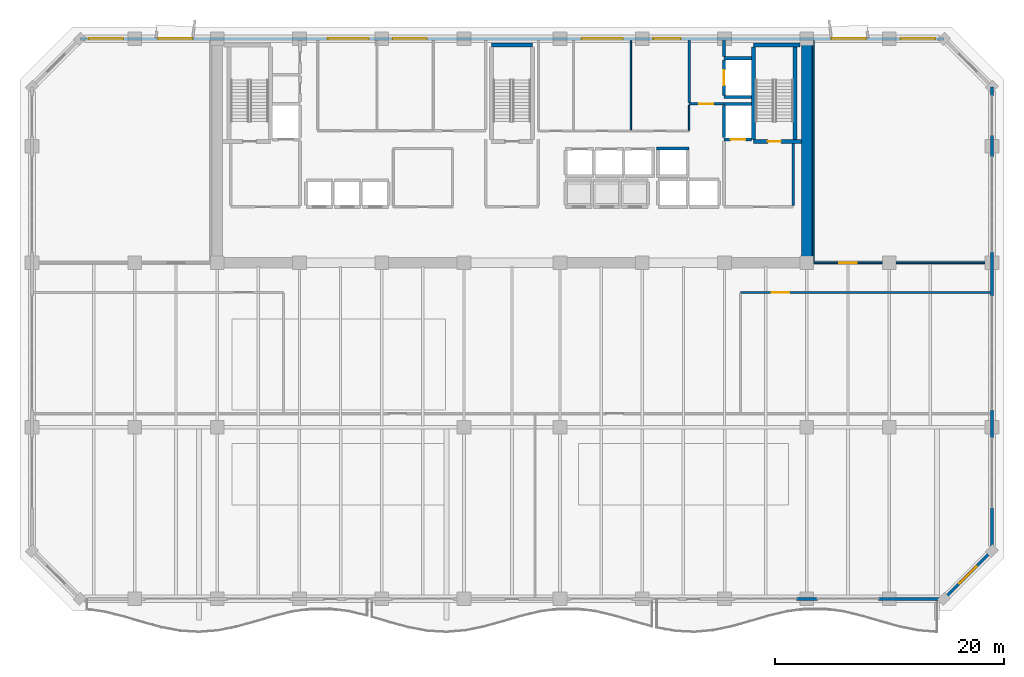
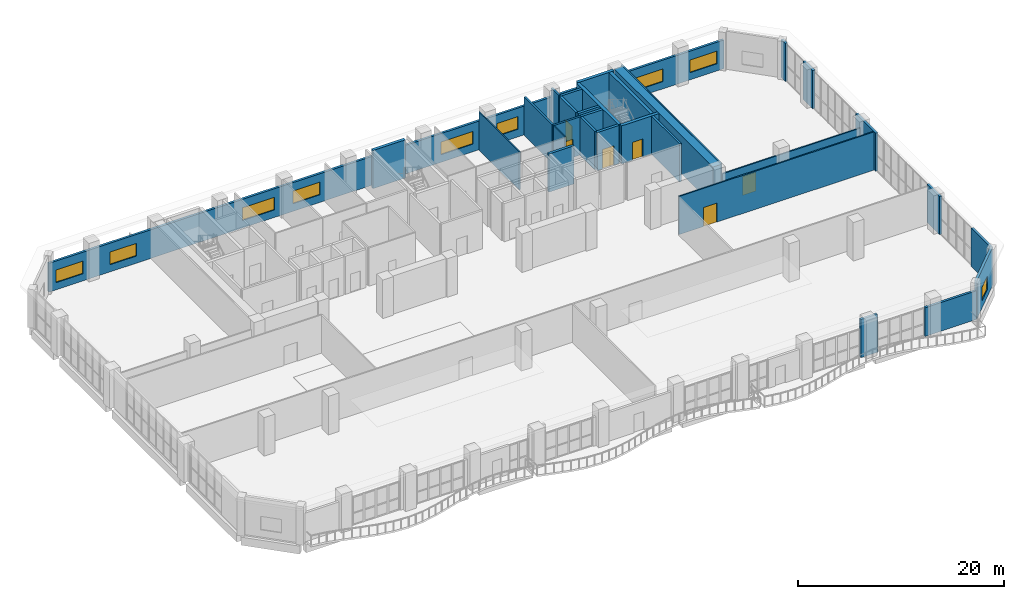
# One storey, part 31 of 37: 31 walls, 9 windows, 6 doors, 15 openings.
"""IFC4 building model written with IfcOpenShell, lengths in metres."""

from ifc_helpers import new_model, si_unit, direction, frame, frame_2d, origin, place, context, subcontext, project, spatial, rectangle, extrude, material, layer, layer_set, type_object, element, fill, save


model = new_model("IFC4")

# Units and contexts
model_context = context("Model", 3, precision=1e-05, world=origin(), true_north=direction((0.0, 1.0)))
body_context = subcontext(model_context, "Body", "Model", "MODEL_VIEW")
ifc_project = project(units=[si_unit("LENGTHUNIT", "METRE"), si_unit("AREAUNIT", "SQUARE_METRE"), si_unit("VOLUMEUNIT", "CUBIC_METRE"), si_unit("PLANEANGLEUNIT", "RADIAN"), si_unit("MASSUNIT", "GRAM", prefix="KILO")], contexts=[model_context])

# Site, building, storey
site_placement = place(None, origin())
site = spatial("IfcSite", under=ifc_project, at=site_placement, CompositionType="ELEMENT")
building_placement = place(site_placement, origin())
building = spatial("IfcBuilding", under=site, at=building_placement, Name="Kaelvorn Grand Hotel", CompositionType="ELEMENT")
storey_placement = place(building_placement, frame((0.0, 0.0, 130.550048828125)))
storey = spatial("IfcBuildingStorey", under=building, at=storey_placement, Name="L31", CompositionType="ELEMENT", Elevation=130.550048828125)

# Walls
ifc_material_1 = material(Name="Concrete C60/75", Category="concrete")
ifc_layer_1 = layer(ifc_material_1, 0.89990234375)
ifc_layer_set_1 = layer_set([ifc_layer_1], Name="Concrete C60/75")
wall_type_1 = type_object("IfcWallType", Name="WL-CORE-900-C60", PredefinedType="SHEAR", material=ifc_layer_set_1)
wall_1_placement = place(storey_placement, frame((67.800048828125, 29.39990234375, 0.0), z_axis=(0.0, 0.0, 1.0), x_axis=(0.0, 1.0, 0.0)))
element("IfcWall", 1, at=wall_1_placement, inside=storey, type_object=wall_type_1, Name="L31 Rear-Core East Shear Wall", PredefinedType="SHEAR", context=body_context, shape_type="SweptSolid", body=[
    extrude(rectangle(XDim=19.2001953125, YDim=0.89990234375, at=frame_2d((9.60009765625, 0.0))), origin(), (0.0, 0.0, 1.0), 4.52001953125),
])
ifc_material_2 = material(Name="Concrete C40/50", Category="concrete")
ifc_layer_2 = layer(ifc_material_2, 0.260009765625)
ifc_layer_set_2 = layer_set([ifc_layer_2], Name="Concrete C40/50")
wall_type_2 = type_object("IfcWallType", Name="WL-EXT-260-C40", PredefinedType="SOLIDWALL", material=ifc_layer_set_2)
wall_2_placement = place(storey_placement, frame((66.875, 0.0, 0.0), z_axis=(0.0, 0.0, 1.0), x_axis=(1.0, 0.0, 0.0)))
element("IfcWall", 2, at=wall_2_placement, inside=storey, type_object=wall_type_2, Name="L31 Exterior Architectural Concrete Wall 01 Pier 8", PredefinedType="SOLIDWALL", context=body_context, shape_type="SweptSolid", body=[
    extrude(rectangle(XDim=1.85009765625, YDim=0.260009765625, at=frame_2d((0.925048828125, 0.0))), origin(), (0.0, 0.0, 1.0), 4.52001953125),
])
wall_3_placement = place(storey_placement, frame((74.074951171875, 0.0, 0.0), z_axis=(0.0, 0.0, 1.0), x_axis=(1.0, 0.0, 0.0)))
element("IfcWall", 3, at=wall_3_placement, inside=storey, type_object=wall_type_2, Name="L31 Exterior Architectural Concrete Wall 01 Pier 9", PredefinedType="SOLIDWALL", context=body_context, shape_type="SweptSolid", body=[
    extrude(rectangle(XDim=5.72509765625, YDim=0.260009765625, at=frame_2d((2.862548828125, 0.0))), origin(), (0.0, 0.0, 1.0), 3.39990234375),
])

# Wall, opening, window
wall_4_placement = place(storey_placement, frame((79.800048828125, 0.0, 0.0), z_axis=(0.0, 0.0, 1.0), x_axis=(0.707106781187, 0.707106781187, 0.0)))
wall_4 = element("IfcWall", 4, at=wall_4_placement, inside=storey, type_object=wall_type_2, Name="L31 Exterior Architectural Concrete Wall 02", PredefinedType="SOLIDWALL", context=body_context, shape_type="SweptSolid", body=[
    extrude(rectangle(XDim=5.939697265625, YDim=0.260009765625, at=frame_2d((2.9697265625, 0.0))), origin(), (0.0, 0.0, 1.0), 4.52001953125),
])
opening_1_placement = place(wall_4_placement, frame((1.919921875, 0.0, 0.85009765625)))
opening_1 = element("IfcOpeningElement", 5, at=opening_1_placement, cuts=wall_4, Name="Opening W7", PredefinedType="OPENING", context=body_context, shape_type="SweptSolid", body=[
    extrude(rectangle(XDim=2.10009765625, YDim=1.60009765625, at=frame_2d((1.050048828125, 0.800048828125))), frame((0.0, 0.14013671875, 0.0), z_axis=(0.0, -1.0, 0.0), x_axis=(1.0, 0.0, 0.0)), (0.0, 0.0, 1.0), 0.280029296875),
])
ifc_material_3 = material(Name="Laminated Low-E Glass", Category="glass")
window_type_1 = type_object("IfcWindowType", Name="WIN-CHM-2100x1600", PartitioningType="SINGLE_PANEL", PredefinedType="WINDOW", material=ifc_material_3)
window_1_placement = place(opening_1_placement, origin())
window_1 = element("IfcWindow", 6, at=window_1_placement, inside=storey, type_object=window_type_1, Name="L31 Chamfered 45-Degree Corner Window SE", OverallHeight=1.60009765625, OverallWidth=2.10009765625, PartitioningType="SINGLE_PANEL", PredefinedType="WINDOW", context=body_context, shape_type="SweptSolid", body=[
    extrude(rectangle(XDim=2.10009765625, YDim=1.60009765625, at=frame_2d((1.050048828125, 0.800048828125))), frame((0.0, 0.030029296875, 0.0), z_axis=(0.0, -1.0, 0.0), x_axis=(1.0, 0.0, 0.0)), (0.0, 0.0, 1.0), 0.06005859375),
])
fill(opening_1, window_1)

# Walls
wall_5_placement = place(storey_placement, frame((84.0, 4.199951171875, 0.0), z_axis=(0.0, 0.0, 1.0), x_axis=(0.0, 1.0, 0.0)))
element("IfcWall", 7, at=wall_5_placement, inside=storey, type_object=wall_type_2, Name="L31 Exterior Architectural Concrete Wall 03 Pier 1", PredefinedType="SOLIDWALL", context=body_context, shape_type="SweptSolid", body=[
    extrude(rectangle(XDim=3.72509765625, YDim=0.260009765625, at=frame_2d((1.862548828125, 0.0))), origin(), (0.0, 0.0, 1.0), 4.52001953125),
])
wall_6_placement = place(storey_placement, frame((84.0, 14.074951171875, 0.0), z_axis=(0.0, 0.0, 1.0), x_axis=(0.0, 1.0, 0.0)))
element("IfcWall", 8, at=wall_6_placement, inside=storey, type_object=wall_type_2, Name="L31 Exterior Architectural Concrete Wall 03 Pier 2", PredefinedType="SOLIDWALL", context=body_context, shape_type="SweptSolid", body=[
    extrude(rectangle(XDim=2.449951171875, YDim=0.260009765625, at=frame_2d((1.22509765625, 0.0))), origin(), (0.0, 0.0, 1.0), 4.52001953125),
])
wall_7_placement = place(storey_placement, frame((84.0, 26.47509765625, 0.0), z_axis=(0.0, 0.0, 1.0), x_axis=(0.0, 1.0, 0.0)))
element("IfcWall", 9, at=wall_7_placement, inside=storey, type_object=wall_type_2, Name="L31 Exterior Architectural Concrete Wall 03 Pier 3", PredefinedType="SOLIDWALL", context=body_context, shape_type="SweptSolid", body=[
    extrude(rectangle(XDim=3.849853515625, YDim=0.260009765625, at=frame_2d((1.9248046875, 0.0))), origin(), (0.0, 0.0, 1.0), 4.52001953125),
])
wall_8_placement = place(storey_placement, frame((84.0, 38.675048828125, 0.0), z_axis=(0.0, 0.0, 1.0), x_axis=(0.0, 1.0, 0.0)))
element("IfcWall", 10, at=wall_8_placement, inside=storey, type_object=wall_type_2, Name="L31 Exterior Architectural Concrete Wall 03 Pier 4", PredefinedType="SOLIDWALL", context=body_context, shape_type="SweptSolid", body=[
    extrude(rectangle(XDim=1.849853515625, YDim=0.260009765625, at=frame_2d((0.9248046875, 0.0))), origin(), (0.0, 0.0, 1.0), 4.52001953125),
])
wall_9_placement = place(storey_placement, frame((84.0, 43.9951171875, 0.0), z_axis=(0.0, 0.0, 1.0), x_axis=(0.0, 1.0, 0.0)))
element("IfcWall", 11, at=wall_9_placement, inside=storey, type_object=wall_type_2, Name="L31 Exterior Architectural Concrete Wall 03 Pier 5", PredefinedType="SOLIDWALL", context=body_context, shape_type="SweptSolid", body=[
    extrude(rectangle(XDim=0.804931640625, YDim=0.260009765625, at=frame_2d((0.40234375, 0.0))), origin(), (0.0, 0.0, 1.0), 4.52001953125),
])

# Wall, openings, windows
wall_10_placement = place(storey_placement, frame((79.800048828125, 49.0, 0.0), z_axis=(0.0, 0.0, 1.0), x_axis=(-1.0, 0.0, 0.0)))
wall_10 = element("IfcWall", 12, at=wall_10_placement, inside=storey, type_object=wall_type_2, Name="L31 Exterior Architectural Concrete Wall 05", PredefinedType="SOLIDWALL", context=body_context, shape_type="SweptSolid", body=[
    extrude(rectangle(XDim=75.60009765625, YDim=0.260009765625, at=frame_2d((37.800048828125, 0.0))), origin(), (0.0, 0.0, 1.0), 3.39990234375),
])
opening_2_placement = place(wall_10_placement, frame((71.81494140625, 0.0, 0.85009765625)))
opening_2 = element("IfcOpeningElement", 13, at=opening_2_placement, cuts=wall_10, Name="Opening W5", PredefinedType="OPENING", context=body_context, shape_type="SweptSolid", body=[
    extrude(rectangle(XDim=3.0, YDim=1.5, at=frame_2d((1.5, 0.75))), frame((0.0, 0.14013671875, 0.0), z_axis=(0.0, -1.0, 0.0), x_axis=(1.0, 0.0, 0.0)), (0.0, 0.0, 1.0), 0.280029296875),
])
opening_3_placement = place(wall_10_placement, frame((65.77490234375, 0.0, 0.85009765625)))
opening_3 = element("IfcOpeningElement", 14, at=opening_3_placement, cuts=wall_10, Name="Opening W5", PredefinedType="OPENING", context=body_context, shape_type="SweptSolid", body=[
    extrude(rectangle(XDim=3.0, YDim=1.5, at=frame_2d((1.5, 0.75))), frame((0.0, 0.14013671875, 0.0), z_axis=(0.0, -1.0, 0.0), x_axis=(1.0, 0.0, 0.0)), (0.0, 0.0, 1.0), 0.280029296875),
])
opening_4_placement = place(wall_10_placement, frame((6.824951171875, 0.0, 0.85009765625)))
opening_4 = element("IfcOpeningElement", 15, at=opening_4_placement, cuts=wall_10, Name="Opening W5", PredefinedType="OPENING", context=body_context, shape_type="SweptSolid", body=[
    extrude(rectangle(XDim=3.0, YDim=1.5, at=frame_2d((1.5, 0.75))), frame((0.0, 0.14013671875, 0.0), z_axis=(0.0, -1.0, 0.0), x_axis=(1.0, 0.0, 0.0)), (0.0, 0.0, 1.0), 0.280029296875),
])
opening_5_placement = place(wall_10_placement, frame((0.784912109375, 0.0, 0.85009765625)))
opening_5 = element("IfcOpeningElement", 16, at=opening_5_placement, cuts=wall_10, Name="Opening W5", PredefinedType="OPENING", context=body_context, shape_type="SweptSolid", body=[
    extrude(rectangle(XDim=3.0, YDim=1.5, at=frame_2d((1.5, 0.75))), frame((0.0, 0.14013671875, 0.0), z_axis=(0.0, -1.0, 0.0), x_axis=(1.0, 0.0, 0.0)), (0.0, 0.0, 1.0), 0.280029296875),
])
opening_6_placement = place(wall_10_placement, frame((50.31494140625, 0.0, 0.89990234375)))
opening_6 = element("IfcOpeningElement", 17, at=opening_6_placement, cuts=wall_10, Name="Opening W3", PredefinedType="OPENING", context=body_context, shape_type="SweptSolid", body=[
    extrude(rectangle(XDim=3.60009765625, YDim=1.5, at=frame_2d((1.800048828125, 0.75))), frame((0.0, 0.14013671875, 0.0), z_axis=(0.0, -1.0, 0.0), x_axis=(1.0, 0.0, 0.0)), (0.0, 0.0, 1.0), 0.280029296875),
])
opening_7_placement = place(wall_10_placement, frame((45.25, 0.0, 0.89990234375)))
opening_7 = element("IfcOpeningElement", 18, at=opening_7_placement, cuts=wall_10, Name="Opening W5", PredefinedType="OPENING", context=body_context, shape_type="SweptSolid", body=[
    extrude(rectangle(XDim=3.0, YDim=1.5, at=frame_2d((1.5, 0.75))), frame((0.0, 0.14013671875, 0.0), z_axis=(0.0, -1.0, 0.0), x_axis=(1.0, 0.0, 0.0)), (0.0, 0.0, 1.0), 0.280029296875),
])
opening_8_placement = place(wall_10_placement, frame((28.10009765625, 0.0, 0.89990234375)))
opening_8 = element("IfcOpeningElement", 19, at=opening_8_placement, cuts=wall_10, Name="Opening W3", PredefinedType="OPENING", context=body_context, shape_type="SweptSolid", body=[
    extrude(rectangle(XDim=3.60009765625, YDim=1.5, at=frame_2d((1.800048828125, 0.75))), frame((0.0, 0.14013671875, 0.0), z_axis=(0.0, -1.0, 0.0), x_axis=(1.0, 0.0, 0.0)), (0.0, 0.0, 1.0), 0.280029296875),
])
opening_9_placement = place(wall_10_placement, frame((23.034912109375, 0.0, 0.89990234375)))
opening_9 = element("IfcOpeningElement", 20, at=opening_9_placement, cuts=wall_10, Name="Opening W6", PredefinedType="OPENING", context=body_context, shape_type="SweptSolid", body=[
    extrude(rectangle(XDim=2.39990234375, YDim=1.5, at=frame_2d((1.199951171875, 0.75))), frame((0.0, 0.14013671875, 0.0), z_axis=(0.0, -1.0, 0.0), x_axis=(1.0, 0.0, 0.0)), (0.0, 0.0, 1.0), 0.280029296875),
])
window_type_2 = type_object("IfcWindowType", Name="WIN-NTH-2400x1500", PartitioningType="SINGLE_PANEL", PredefinedType="WINDOW", material=ifc_material_3)
window_2_placement = place(opening_9_placement, origin())
window_2 = element("IfcWindow", 21, at=window_2_placement, inside=storey, type_object=window_type_2, Name="L31 North Core Clerestory Ribbon Window NC08", OverallHeight=1.5, OverallWidth=2.39990234375, PartitioningType="SINGLE_PANEL", PredefinedType="WINDOW", context=body_context, shape_type="SweptSolid", body=[
    extrude(rectangle(XDim=2.39990234375, YDim=1.5, at=frame_2d((1.199951171875, 0.75))), frame((0.0, 0.030029296875, 0.0), z_axis=(0.0, -1.0, 0.0), x_axis=(1.0, 0.0, 0.0)), (0.0, 0.0, 1.0), 0.06005859375),
])
fill(opening_9, window_2)
window_type_3 = type_object("IfcWindowType", Name="WIN-NTH-3000x1500", PartitioningType="SINGLE_PANEL", PredefinedType="WINDOW", material=ifc_material_3)
window_3_placement = place(opening_2_placement, origin())
window_3 = element("IfcWindow", 22, at=window_3_placement, inside=storey, type_object=window_type_3, Name="L31 North Wing Ribbon Window NW01", OverallHeight=1.5, OverallWidth=3.0, PartitioningType="SINGLE_PANEL", PredefinedType="WINDOW", context=body_context, shape_type="SweptSolid", body=[
    extrude(rectangle(XDim=3.0, YDim=1.5, at=frame_2d((1.5, 0.75))), frame((0.0, 0.030029296875, 0.0), z_axis=(0.0, -1.0, 0.0), x_axis=(1.0, 0.0, 0.0)), (0.0, 0.0, 1.0), 0.06005859375),
])
fill(opening_2, window_3)
window_4_placement = place(opening_3_placement, origin())
window_4 = element("IfcWindow", 23, at=window_4_placement, inside=storey, type_object=window_type_3, Name="L31 North Wing Ribbon Window NW02", OverallHeight=1.5, OverallWidth=3.0, PartitioningType="SINGLE_PANEL", PredefinedType="WINDOW", context=body_context, shape_type="SweptSolid", body=[
    extrude(rectangle(XDim=3.0, YDim=1.5, at=frame_2d((1.5, 0.75))), frame((0.0, 0.030029296875, 0.0), z_axis=(0.0, -1.0, 0.0), x_axis=(1.0, 0.0, 0.0)), (0.0, 0.0, 1.0), 0.06005859375),
])
fill(opening_3, window_4)
window_5_placement = place(opening_4_placement, origin())
window_5 = element("IfcWindow", 24, at=window_5_placement, inside=storey, type_object=window_type_3, Name="L31 North Wing Ribbon Window NW03", OverallHeight=1.5, OverallWidth=3.0, PartitioningType="SINGLE_PANEL", PredefinedType="WINDOW", context=body_context, shape_type="SweptSolid", body=[
    extrude(rectangle(XDim=3.0, YDim=1.5, at=frame_2d((1.5, 0.75))), frame((0.0, 0.030029296875, 0.0), z_axis=(0.0, -1.0, 0.0), x_axis=(1.0, 0.0, 0.0)), (0.0, 0.0, 1.0), 0.06005859375),
])
fill(opening_4, window_5)
window_6_placement = place(opening_5_placement, origin())
window_6 = element("IfcWindow", 25, at=window_6_placement, inside=storey, type_object=window_type_3, Name="L31 North Wing Ribbon Window NW04", OverallHeight=1.5, OverallWidth=3.0, PartitioningType="SINGLE_PANEL", PredefinedType="WINDOW", context=body_context, shape_type="SweptSolid", body=[
    extrude(rectangle(XDim=3.0, YDim=1.5, at=frame_2d((1.5, 0.75))), frame((0.0, 0.030029296875, 0.0), z_axis=(0.0, -1.0, 0.0), x_axis=(1.0, 0.0, 0.0)), (0.0, 0.0, 1.0), 0.06005859375),
])
fill(opening_5, window_6)
window_7_placement = place(opening_7_placement, origin())
window_7 = element("IfcWindow", 26, at=window_7_placement, inside=storey, type_object=window_type_3, Name="L31 North Core Clerestory Ribbon Window NC06", OverallHeight=1.5, OverallWidth=3.0, PartitioningType="SINGLE_PANEL", PredefinedType="WINDOW", context=body_context, shape_type="SweptSolid", body=[
    extrude(rectangle(XDim=3.0, YDim=1.5, at=frame_2d((1.5, 0.75))), frame((0.0, 0.030029296875, 0.0), z_axis=(0.0, -1.0, 0.0), x_axis=(1.0, 0.0, 0.0)), (0.0, 0.0, 1.0), 0.06005859375),
])
fill(opening_7, window_7)
window_type_4 = type_object("IfcWindowType", Name="WIN-RIB-3600x1750", PartitioningType="SINGLE_PANEL", PredefinedType="WINDOW", material=ifc_material_3)
window_8_placement = place(opening_6_placement, origin())
window_8 = element("IfcWindow", 27, at=window_8_placement, inside=storey, type_object=window_type_4, Name="L31 North Core Clerestory Ribbon Window NC05", OverallHeight=1.5, OverallWidth=3.60009765625, PartitioningType="SINGLE_PANEL", PredefinedType="WINDOW", context=body_context, shape_type="SweptSolid", body=[
    extrude(rectangle(XDim=3.60009765625, YDim=1.5, at=frame_2d((1.800048828125, 0.75))), frame((0.0, 0.030029296875, 0.0), z_axis=(0.0, -1.0, 0.0), x_axis=(1.0, 0.0, 0.0)), (0.0, 0.0, 1.0), 0.06005859375),
])
fill(opening_6, window_8)
window_9_placement = place(opening_8_placement, origin())
window_9 = element("IfcWindow", 28, at=window_9_placement, inside=storey, type_object=window_type_4, Name="L31 North Core Clerestory Ribbon Window NC07", OverallHeight=1.5, OverallWidth=3.60009765625, PartitioningType="SINGLE_PANEL", PredefinedType="WINDOW", context=body_context, shape_type="SweptSolid", body=[
    extrude(rectangle(XDim=3.60009765625, YDim=1.5, at=frame_2d((1.800048828125, 0.75))), frame((0.0, 0.030029296875, 0.0), z_axis=(0.0, -1.0, 0.0), x_axis=(1.0, 0.0, 0.0)), (0.0, 0.0, 1.0), 0.06005859375),
])
fill(opening_8, window_9)

# Walls
ifc_material_4 = material(Name="Moisture-Resistant Tile & Stud Board")
ifc_layer_3 = layer(ifc_material_4, 0.125)
ifc_layer_set_3 = layer_set([ifc_layer_3], Name="Moisture-Resistant Tile & Stud Board")
wall_type_3 = type_object("IfcWallType", Name="WL-PART-125-WET", PredefinedType="PARTITIONING", material=ifc_layer_set_3)
wall_11_placement = place(storey_placement, frame((52.39990234375, 41.017578125, 0.0), z_axis=(0.0, 0.0, 1.0), x_axis=(0.0, 1.0, 0.0)))
element("IfcWall", 29, at=wall_11_placement, inside=storey, type_object=wall_type_3, Name="L31 Male Staff & Guest Toilets E Partition", PredefinedType="PARTITIONING", context=body_context, shape_type="SweptSolid", body=[
    extrude(rectangle(XDim=7.83251953125, YDim=0.125, at=frame_2d((3.916259765625, 0.0))), origin(), (0.0, 0.0, 1.0), 4.52001953125),
])
wall_12_placement = place(storey_placement, frame((57.5, 41.017578125, 0.0), z_axis=(0.0, 0.0, 1.0), x_axis=(0.0, 1.0, 0.0)))
element("IfcWall", 30, at=wall_12_placement, inside=storey, type_object=wall_type_3, Name="L31 Female Staff & Guest Toilets E Partition", PredefinedType="PARTITIONING", context=body_context, shape_type="SweptSolid", body=[
    extrude(rectangle(XDim=2.16748046875, YDim=0.125, at=frame_2d((1.083740234375, 0.0))), origin(), (0.0, 0.0, 1.0), 4.52001953125),
])

# Wall, opening, door
ifc_material_5 = material(Name="Acoustic Gypsum & Stud Partition")
ifc_layer_4 = layer(ifc_material_5, 0.14990234375)
ifc_layer_set_4 = layer_set([ifc_layer_4], Name="Acoustic Gypsum & Stud Partition")
wall_type_4 = type_object("IfcWallType", Name="WL-PART-150-EI60", PredefinedType="PARTITIONING", material=ifc_layer_set_4)
wall_13_placement = place(storey_placement, frame((62.0, 26.800048828125, 0.0), z_axis=(0.0, 0.0, 1.0), x_axis=(1.0, 0.0, 0.0)))
wall_13 = element("IfcWall", 31, at=wall_13_placement, inside=storey, type_object=wall_type_4, Name="L31 Sky Private Dining Salon N Partition", PredefinedType="PARTITIONING", context=body_context, shape_type="SweptSolid", body=[
    extrude(rectangle(XDim=21.85009765625, YDim=0.14990234375, at=frame_2d((10.925048828125, 0.0))), origin(), (0.0, 0.0, 1.0), 4.52001953125),
])
opening_10_placement = place(wall_13_placement, frame((2.75, 0.0, 0.0)))
opening_10 = element("IfcOpeningElement", 32, at=opening_10_placement, cuts=wall_13, Name="Opening DI5", PredefinedType="OPENING", context=body_context, shape_type="SweptSolid", body=[
    extrude(rectangle(XDim=1.5, YDim=2.25, at=frame_2d((0.75, 1.125))), frame((0.0, 0.0849609375, 0.0), z_axis=(0.0, -1.0, 0.0), x_axis=(1.0, 0.0, 0.0)), (0.0, 0.0, 1.0), 0.169921875),
])
ifc_material_6 = material(Name="Timber Veneer Fire Leaf", Category="wood")
door_type_1 = type_object("IfcDoorType", Name="DR-INT-SALON-1500x2250", OperationType="DOUBLE_DOOR_SINGLE_SWING", PredefinedType="DOOR", material=ifc_material_6)
door_1_placement = place(opening_10_placement, origin())
door_1 = element("IfcDoor", 33, at=door_1_placement, inside=storey, type_object=door_type_1, Name="L31 Sky Private Dining Salon Door", OperationType="DOUBLE_DOOR_SINGLE_SWING", OverallHeight=2.25, OverallWidth=1.5, PredefinedType="DOOR", context=body_context, shape_type="SweptSolid", body=[
    extrude(rectangle(XDim=1.5, YDim=2.25, at=frame_2d((0.75, 1.125))), frame((0.0, 0.02490234375, 0.0), z_axis=(0.0, -1.0, 0.0), x_axis=(1.0, 0.0, 0.0)), (0.0, 0.0, 1.0), 0.050048828125),
])
fill(opening_10, door_1)

wall_14_placement = place(storey_placement, frame((68.35009765625, 29.39990234375, 0.0), z_axis=(0.0, 0.0, 1.0), x_axis=(1.0, 0.0, 0.0)))
wall_14 = element("IfcWall", 34, at=wall_14_placement, inside=storey, type_object=wall_type_4, Name="L31 Sky Banquet Prep Office S Partition", PredefinedType="PARTITIONING", context=body_context, shape_type="SweptSolid", body=[
    extrude(rectangle(XDim=15.5, YDim=0.14990234375, at=frame_2d((7.75, 0.0))), origin(), (0.0, 0.0, 1.0), 3.39990234375),
])
opening_11_placement = place(wall_14_placement, frame((2.300048828125, 0.0, 0.0)))
opening_11 = element("IfcOpeningElement", 35, at=opening_11_placement, cuts=wall_14, Name="Opening DI5", PredefinedType="OPENING", context=body_context, shape_type="SweptSolid", body=[
    extrude(rectangle(XDim=1.5, YDim=2.25, at=frame_2d((0.75, 1.125))), frame((0.0, 0.0849609375, 0.0), z_axis=(0.0, -1.0, 0.0), x_axis=(1.0, 0.0, 0.0)), (0.0, 0.0, 1.0), 0.169921875),
])
door_2_placement = place(opening_11_placement, origin())
door_2 = element("IfcDoor", 36, at=door_2_placement, inside=storey, type_object=door_type_1, Name="L31 Sky Banquet Prep Office Door", OperationType="DOUBLE_DOOR_SINGLE_SWING", OverallHeight=2.25, OverallWidth=1.5, PredefinedType="DOOR", context=body_context, shape_type="SweptSolid", body=[
    extrude(rectangle(XDim=1.5, YDim=2.25, at=frame_2d((0.75, 1.125))), frame((0.0, 0.02490234375, 0.0), z_axis=(0.0, -1.0, 0.0), x_axis=(1.0, 0.0, 0.0)), (0.0, 0.0, 1.0), 0.050048828125),
])
fill(opening_11, door_2)

# Walls
wall_15_placement = place(storey_placement, frame((68.35009765625, 29.47998046875, 0.0), z_axis=(0.0, 0.0, 1.0), x_axis=(0.0, 1.0, 0.0)))
element("IfcWall", 37, at=wall_15_placement, inside=storey, type_object=wall_type_4, Name="L31 Sky Banquet Prep Office W Partition", PredefinedType="PARTITIONING", context=body_context, shape_type="SweptSolid", body=[
    extrude(rectangle(XDim=19.3701171875, YDim=0.14990234375, at=frame_2d((9.68505859375, 0.0))), origin(), (0.0, 0.0, 1.0), 4.52001953125),
])
ifc_layer_5 = layer(ifc_material_2, 0.219970703125)
ifc_layer_set_5 = layer_set([ifc_layer_5], Name="Concrete C40/50")
wall_type_5 = type_object("IfcWallType", Name="WL-PART-220-EI120", PredefinedType="PARTITIONING", material=ifc_layer_set_5)
wall_16_placement = place(storey_placement, frame((66.60009765625, 34.4150390625, 0.0), z_axis=(0.0, 0.0, 1.0), x_axis=(0.0, 1.0, 0.0)))
element("IfcWall", 38, at=wall_16_placement, inside=storey, type_object=wall_type_5, Name="L31 Firefighting Lift Lobby 2 E Partition", PredefinedType="PARTITIONING", context=body_context, shape_type="SweptSolid", body=[
    extrude(rectangle(XDim=5.429931640625, YDim=0.219970703125, at=frame_2d((2.71484375, 0.0))), origin(), (0.0, 0.0, 1.0), 4.52001953125),
])

# Wall, opening, door
wall_17_placement = place(storey_placement, frame((57.5, 43.300048828125, 0.0), z_axis=(0.0, 0.0, 1.0), x_axis=(1.0, 0.0, 0.0)))
wall_17 = element("IfcWall", 39, at=wall_17_placement, inside=storey, type_object=wall_type_5, Name="L31 Service Lift Lobby S Partition", PredefinedType="PARTITIONING", context=body_context, shape_type="SweptSolid", body=[
    extrude(rectangle(XDim=3.0400390625, YDim=0.219970703125, at=frame_2d((1.52001953125, 0.0))), origin(), (0.0, 0.0, 1.0), 4.52001953125),
])
opening_12_placement = place(wall_17_placement, frame((0.89990234375, 0.0, 0.0)))
opening_12 = element("IfcOpeningElement", 40, at=opening_12_placement, cuts=wall_17, Name="Opening DI2", PredefinedType="OPENING", context=body_context, shape_type="SweptSolid", body=[
    extrude(rectangle(XDim=1.199951171875, YDim=2.14990234375, at=frame_2d((0.60009765625, 1.074951171875))), frame((0.0, 0.1201171875, 0.0), z_axis=(0.0, -1.0, 0.0), x_axis=(1.0, 0.0, 0.0)), (0.0, 0.0, 1.0), 0.239990234375),
])
door_type_2 = type_object("IfcDoorType", Name="DR-INT-FFLOB-1200x2150", OperationType="NOTDEFINED", PredefinedType="DOOR", material=ifc_material_6)
door_3_placement = place(opening_12_placement, origin())
door_3 = element("IfcDoor", 41, at=door_3_placement, inside=storey, type_object=door_type_2, Name="L31 Service Lift Lobby Door", OperationType="SINGLE_SWING_LEFT", OverallHeight=2.14990234375, OverallWidth=1.199951171875, PredefinedType="DOOR", context=body_context, shape_type="SweptSolid", body=[
    extrude(rectangle(XDim=1.199951171875, YDim=2.14990234375, at=frame_2d((0.60009765625, 1.074951171875))), frame((0.0, 0.02490234375, 0.0), z_axis=(0.0, -1.0, 0.0), x_axis=(1.0, 0.0, 0.0)), (0.0, 0.0, 1.0), 0.050048828125),
])
fill(opening_12, door_3)

# Walls
wall_18_placement = place(storey_placement, frame((57.5, 43.4150390625, 0.0), z_axis=(0.0, 0.0, 1.0), x_axis=(0.0, 1.0, 0.0)))
element("IfcWall", 42, at=wall_18_placement, inside=storey, type_object=wall_type_5, Name="L31 Service Lift Lobby W Partition", PredefinedType="PARTITIONING", context=body_context, shape_type="SweptSolid", body=[
    extrude(rectangle(XDim=5.43505859375, YDim=0.219970703125, at=frame_2d((2.717529296875, 0.0))), origin(), (0.0, 0.0, 1.0), 4.52001953125),
])
wall_19_placement = place(storey_placement, frame((60.550048828125, 47.445068359375, 0.0), z_axis=(0.0, 0.0, 1.0), x_axis=(0.0, 1.0, 0.0)))
element("IfcWall", 43, at=wall_19_placement, inside=storey, type_object=wall_type_5, Name="L31 Service Lift Lobby E Partition", PredefinedType="PARTITIONING", context=body_context, shape_type="SweptSolid", body=[
    extrude(rectangle(XDim=1.405029296875, YDim=0.219970703125, at=frame_2d((0.70263671875, 0.0))), origin(), (0.0, 0.0, 1.0), 4.52001953125),
])
ifc_material_7 = material(Name="Concrete C50/60", Category="concrete")
ifc_layer_6 = layer(ifc_material_7, 0.280029296875)
ifc_layer_set_6 = layer_set([ifc_layer_6], Name="Concrete C50/60")
wall_type_6 = type_object("IfcWallType", Name="WL-SHAFT-280-C50", PredefinedType="SHEAR", material=ifc_layer_set_6)
wall_20_placement = place(storey_placement, frame((54.659912109375, 39.39990234375, 0.0), z_axis=(0.0, 0.0, 1.0), x_axis=(1.0, 0.0, 0.0)))
element("IfcWall", 44, at=wall_20_placement, inside=storey, type_object=wall_type_6, Name="L31 Lift OL-3 Shaft North Wall", PredefinedType="SHEAR", context=body_context, shape_type="SweptSolid", body=[
    extrude(rectangle(XDim=2.830078125, YDim=0.280029296875, at=frame_2d((1.4150390625, 0.0))), origin(), (0.0, 0.0, 1.0), 4.52001953125),
])

# Wall, opening, door
wall_21_placement = place(storey_placement, frame((60.550048828125, 40.199951171875, 0.0), z_axis=(0.0, 0.0, 1.0), x_axis=(1.0, 0.0, 0.0)))
wall_21 = element("IfcWall", 45, at=wall_21_placement, inside=storey, type_object=wall_type_6, Name="L31 Lift FFL2 Shaft South Wall", PredefinedType="SHEAR", context=body_context, shape_type="SweptSolid", body=[
    extrude(rectangle(XDim=2.4150390625, YDim=0.280029296875, at=frame_2d((1.20751953125, 0.0))), origin(), (0.0, 0.0, 1.0), 4.52001953125),
])
opening_13_placement = place(wall_21_placement, frame((0.574951171875, 0.0, 0.0)))
opening_13 = element("IfcOpeningElement", 46, at=opening_13_placement, cuts=wall_21, Name="Opening LD-FFL2", PredefinedType="OPENING", context=body_context, shape_type="SweptSolid", body=[
    extrude(rectangle(XDim=1.300048828125, YDim=2.300048828125, at=frame_2d((0.64990234375, 1.14990234375))), frame((0.0, 0.14990234375, 0.0), z_axis=(0.0, -1.0, 0.0), x_axis=(1.0, 0.0, 0.0)), (0.0, 0.0, 1.0), 0.300048828125),
])
ifc_material_8 = material(Name="Stainless Steel", Category="steel")
door_type_3 = type_object("IfcDoorType", Name="DR-LIFT-SERV-1300x2300", OperationType="DOUBLE_DOOR_SLIDING", PredefinedType="DOOR", material=ifc_material_8)
door_4_placement = place(opening_13_placement, origin())
door_4 = element("IfcDoor", 47, at=door_4_placement, inside=storey, type_object=door_type_3, Name="L31 Lift FFL2 Sliding Landing Door LD-FFL2", OperationType="DOUBLE_DOOR_SLIDING", OverallHeight=2.300048828125, OverallWidth=1.300048828125, PredefinedType="DOOR", context=body_context, shape_type="SweptSolid", body=[
    extrude(rectangle(XDim=1.300048828125, YDim=2.300048828125, at=frame_2d((0.64990234375, 1.14990234375))), frame((0.0, 0.02490234375, 0.0), z_axis=(0.0, -1.0, 0.0), x_axis=(1.0, 0.0, 0.0)), (0.0, 0.0, 1.0), 0.050048828125),
])
fill(opening_13, door_4)

# Walls
wall_22_placement = place(storey_placement, frame((60.550048828125, 43.300048828125, 0.0), z_axis=(0.0, 0.0, 1.0), x_axis=(1.0, 0.0, 0.0)))
element("IfcWall", 48, at=wall_22_placement, inside=storey, type_object=wall_type_6, Name="L31 Lift FFL2 Shaft North Wall", PredefinedType="SHEAR", context=body_context, shape_type="SweptSolid", body=[
    extrude(rectangle(XDim=2.4150390625, YDim=0.280029296875, at=frame_2d((1.20751953125, 0.0))), origin(), (0.0, 0.0, 1.0), 4.52001953125),
])
wall_23_placement = place(storey_placement, frame((60.550048828125, 40.344970703125, 0.0), z_axis=(0.0, 0.0, 1.0), x_axis=(0.0, 1.0, 0.0)))
element("IfcWall", 49, at=wall_23_placement, inside=storey, type_object=wall_type_6, Name="L31 Lift FFL2 Shaft West Wall", PredefinedType="SHEAR", context=body_context, shape_type="SweptSolid", body=[
    extrude(rectangle(XDim=2.81005859375, YDim=0.280029296875, at=frame_2d((1.405029296875, 0.0))), origin(), (0.0, 0.0, 1.0), 4.52001953125),
])
for number, where, z_axis, x_axis, name in (
    (50, (60.550048828125, 43.89990234375, 0.0), (0.0, 0.0, 1.0), (1.0, 0.0, 0.0), "L31 Lift SV1 Shaft South Wall"),
    (51, (60.550048828125, 47.300048828125, 0.0), (0.0, 0.0, 1.0), (1.0, 0.0, 0.0), "L31 Lift SV1 Shaft North Wall"),
):
    element("IfcWall", number, at=place(storey_placement, frame(where, z_axis=z_axis, x_axis=x_axis)), inside=storey, type_object=wall_type_6, Name=name, PredefinedType="SHEAR", context=body_context, shape_type="SweptSolid", body=[
        extrude(rectangle(XDim=2.4150390625, YDim=0.280029296875, at=frame_2d((1.20751953125, 0.0))), origin(), (0.0, 0.0, 1.0), 4.52001953125),
    ])

# Wall, opening, door
wall_24_placement = place(storey_placement, frame((60.550048828125, 44.044921875, 0.0), z_axis=(0.0, 0.0, 1.0), x_axis=(0.0, 1.0, 0.0)))
wall_24 = element("IfcWall", 52, at=wall_24_placement, inside=storey, type_object=wall_type_6, Name="L31 Lift SV1 Shaft West Wall", PredefinedType="SHEAR", context=body_context, shape_type="SweptSolid", body=[
    extrude(rectangle(XDim=3.110107421875, YDim=0.280029296875, at=frame_2d((1.55517578125, 0.0))), origin(), (0.0, 0.0, 1.0), 4.52001953125),
])
opening_14_placement = place(wall_24_placement, frame((0.905029296875, 0.0, 0.0)))
opening_14 = element("IfcOpeningElement", 53, at=opening_14_placement, cuts=wall_24, Name="Opening LD-SV1", PredefinedType="OPENING", context=body_context, shape_type="SweptSolid", body=[
    extrude(rectangle(XDim=1.300048828125, YDim=2.300048828125, at=frame_2d((0.64990234375, 1.14990234375))), frame((0.0, 0.14990234375, 0.0), z_axis=(0.0, -1.0, 0.0), x_axis=(1.0, 0.0, 0.0)), (0.0, 0.0, 1.0), 0.300048828125),
])
door_5_placement = place(opening_14_placement, origin())
door_5 = element("IfcDoor", 54, at=door_5_placement, inside=storey, type_object=door_type_3, Name="L31 Lift SV1 Sliding Landing Door LD-SV1", OperationType="DOUBLE_DOOR_SLIDING", OverallHeight=2.300048828125, OverallWidth=1.300048828125, PredefinedType="DOOR", context=body_context, shape_type="SweptSolid", body=[
    extrude(rectangle(XDim=1.300048828125, YDim=2.300048828125, at=frame_2d((0.64990234375, 1.14990234375))), frame((0.0, 0.02490234375, 0.0), z_axis=(0.0, -1.0, 0.0), x_axis=(1.0, 0.0, 0.0)), (0.0, 0.0, 1.0), 0.050048828125),
])
fill(opening_14, door_5)

# Wall
ifc_layer_7 = layer(ifc_material_1, 0.35009765625)
ifc_layer_set_7 = layer_set([ifc_layer_7], Name="Concrete C60/75")
wall_type_7 = type_object("IfcWallType", Name="WL-SHAFT-350-C60", PredefinedType="SHEAR", material=ifc_layer_set_7)
wall_25_placement = place(storey_placement, frame((40.18505859375, 48.47509765625, 0.0), z_axis=(0.0, 0.0, 1.0), x_axis=(1.0, 0.0, 0.0)))
element("IfcWall", 55, at=wall_25_placement, inside=storey, type_object=wall_type_7, Name="L31 ST2 Stair Shaft North Wall", PredefinedType="SHEAR", context=body_context, shape_type="SweptSolid", body=[
    extrude(rectangle(XDim=3.6298828125, YDim=0.35009765625, at=frame_2d((1.81494140625, 0.0))), origin(), (0.0, 0.0, 1.0), 4.52001953125),
])

# Wall, opening, door
wall_26_placement = place(storey_placement, frame((63.14501953125, 40.02490234375, 0.0), z_axis=(0.0, 0.0, 1.0), x_axis=(1.0, 0.0, 0.0)))
wall_26 = element("IfcWall", 56, at=wall_26_placement, inside=storey, type_object=wall_type_7, Name="L31 ST3 Stair Shaft South Wall", PredefinedType="SHEAR", context=body_context, shape_type="SweptSolid", body=[
    extrude(rectangle(XDim=4.199951171875, YDim=0.35009765625, at=frame_2d((2.10009765625, 0.0))), origin(), (0.0, 0.0, 1.0), 4.52001953125),
])
opening_15_placement = place(wall_26_placement, frame((1.239990234375, 0.0, 0.0)))
opening_15 = element("IfcOpeningElement", 57, at=opening_15_placement, cuts=wall_26, Name="Opening DI1", PredefinedType="OPENING", context=body_context, shape_type="SweptSolid", body=[
    extrude(rectangle(XDim=1.14990234375, YDim=2.14990234375, at=frame_2d((0.574951171875, 1.074951171875))), frame((0.0, 0.18505859375, 0.0), z_axis=(0.0, -1.0, 0.0), x_axis=(1.0, 0.0, 0.0)), (0.0, 0.0, 1.0), 0.3701171875),
])
door_type_4 = type_object("IfcDoorType", Name="DR-INT-STAIR-1150x2150", OperationType="NOTDEFINED", PredefinedType="DOOR", material=ifc_material_6)
door_6_placement = place(opening_15_placement, origin())
door_6 = element("IfcDoor", 58, at=door_6_placement, inside=storey, type_object=door_type_4, Name="L31 ST3 Exit Stair Fire Door", OperationType="SINGLE_SWING_LEFT", OverallHeight=2.14990234375, OverallWidth=1.14990234375, PredefinedType="DOOR", context=body_context, shape_type="SweptSolid", body=[
    extrude(rectangle(XDim=1.14990234375, YDim=2.14990234375, at=frame_2d((0.574951171875, 1.074951171875))), frame((0.0, 0.02490234375, 0.0), z_axis=(0.0, -1.0, 0.0), x_axis=(1.0, 0.0, 0.0)), (0.0, 0.0, 1.0), 0.050048828125),
])
fill(opening_15, door_6)

# Walls
wall_27_placement = place(storey_placement, frame((63.14501953125, 48.47509765625, 0.0), z_axis=(0.0, 0.0, 1.0), x_axis=(1.0, 0.0, 0.0)))
element("IfcWall", 59, at=wall_27_placement, inside=storey, type_object=wall_type_7, Name="L31 ST3 Stair Shaft North Wall", PredefinedType="SHEAR", context=body_context, shape_type="SweptSolid", body=[
    extrude(rectangle(XDim=4.050048828125, YDim=0.35009765625, at=frame_2d((2.02490234375, 0.0))), origin(), (0.0, 0.0, 1.0), 4.52001953125),
])
for number, where, z_axis, x_axis, name in (
    (60, (63.14501953125, 40.205078125, 0.0), (0.0, 0.0, 1.0), (0.0, 1.0, 0.0), "L31 ST3 Stair Shaft West Wall"),
    (61, (66.77490234375, 40.205078125, 0.0), (0.0, 0.0, 1.0), (0.0, 1.0, 0.0), "L31 ST3 Stair Shaft East Wall"),
):
    element("IfcWall", number, at=place(storey_placement, frame(where, z_axis=z_axis, x_axis=x_axis)), inside=storey, type_object=wall_type_7, Name=name, PredefinedType="SHEAR", context=body_context, shape_type="SweptSolid", body=[
        extrude(rectangle(XDim=8.08984375, YDim=0.35009765625, at=frame_2d((4.044921875, 0.0))), origin(), (0.0, 0.0, 1.0), 4.52001953125),
    ])

save(model, "model.ifc")
